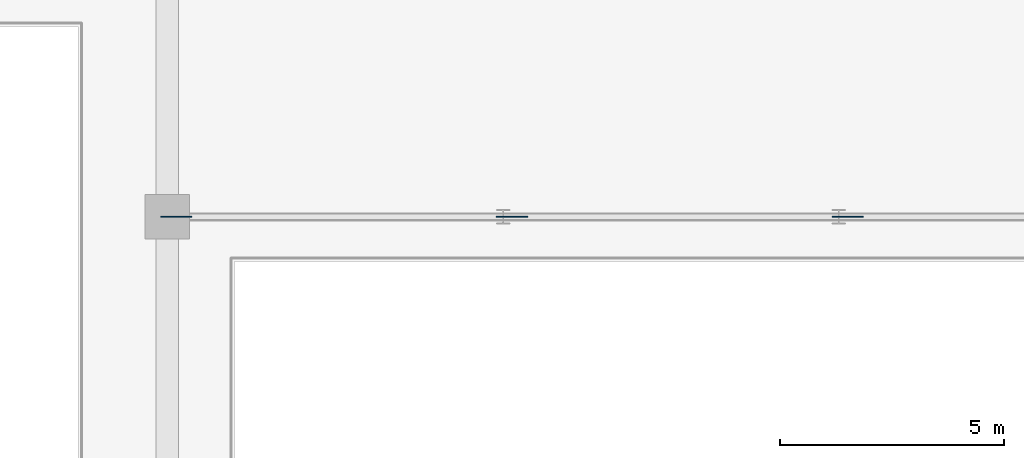
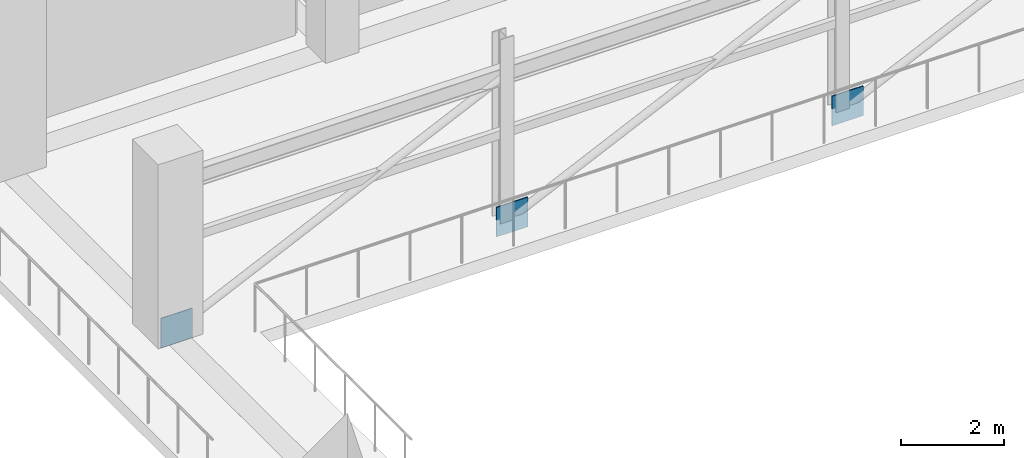
# One storey, part 39 of 64: 3 plates.
"""IFC4 building model written with IfcOpenShell, lengths in metres."""

from ifc_helpers import new_model, si_unit, direction, frame, origin, origin_2d, place, context, subcontext, project, spatial, rectangle, extrude, material, layer, layer_set, type_object, element, save


model = new_model("IFC4")

# Units and contexts
model_context = context("Model", 3, precision=1e-05, world=origin(), true_north=direction((0.0, 1.0)))
body_context = subcontext(model_context, "Body", "Model", "MODEL_VIEW")
ifc_project = project(units=[si_unit("LENGTHUNIT", "METRE"), si_unit("AREAUNIT", "SQUARE_METRE"), si_unit("VOLUMEUNIT", "CUBIC_METRE"), si_unit("PLANEANGLEUNIT", "RADIAN"), si_unit("MASSUNIT", "GRAM", prefix="KILO")], contexts=[model_context])

# Site, building, storey
site_placement = place(None, origin())
site = spatial("IfcSite", under=ifc_project, at=site_placement, CompositionType="ELEMENT")
building_placement = place(site_placement, origin())
building = spatial("IfcBuilding", under=site, at=building_placement, Name="Akrevak Sports Hall", CompositionType="ELEMENT")
storey_placement = place(building_placement, frame((0.0, 0.0, 4.60009765625)))
storey = spatial("IfcBuildingStorey", under=building, at=storey_placement, Name="L01", CompositionType="ELEMENT", Elevation=4.60009765625)

# Plates
ifc_material = material(Name="Steel S355", Category="steel")
ifc_layer = layer(ifc_material, 0.02392578125, Name="Steel S355")
ifc_layer_set = layer_set([ifc_layer], Name="Steel S355")
plate_type = type_object("IfcPlateType", Name="STR-PLT-GUSSET-24", PredefinedType="SHEET", material=ifc_layer_set)
for number, where, z_axis, x_axis, name in (
    (1, (115.699951171875, 48.60009765625, -0.39990234375), (0.0, 0.0, 1.0), (1.0, 0.0, 0.0), "Steel Gusset Plate PL-G1-L01-1"),
    (2, (123.199951171875, 48.60009765625, -0.39990234375), (0.0, 0.0, 1.0), (1.0, 0.0, 0.0), "Steel Gusset Plate PL-G1-L01-2"),
    (3, (130.699951171875, 48.60009765625, -0.39990234375), (0.0, 0.0, 1.0), (1.0, 0.0, 0.0), "Steel Gusset Plate PL-G1-L01-3"),
):
    element("IfcPlate", number, at=place(storey_placement, frame(where, z_axis=z_axis, x_axis=x_axis)), inside=storey, type_object=plate_type, Name=name, PredefinedType="SHEET", context=body_context, shape_type="SweptSolid", body=[
        extrude(rectangle(XDim=0.699951171875, YDim=0.02392578125, at=origin_2d()), origin(), (0.0, 0.0, 1.0), 0.699951171875),
    ])

save(model, "model.ifc")
